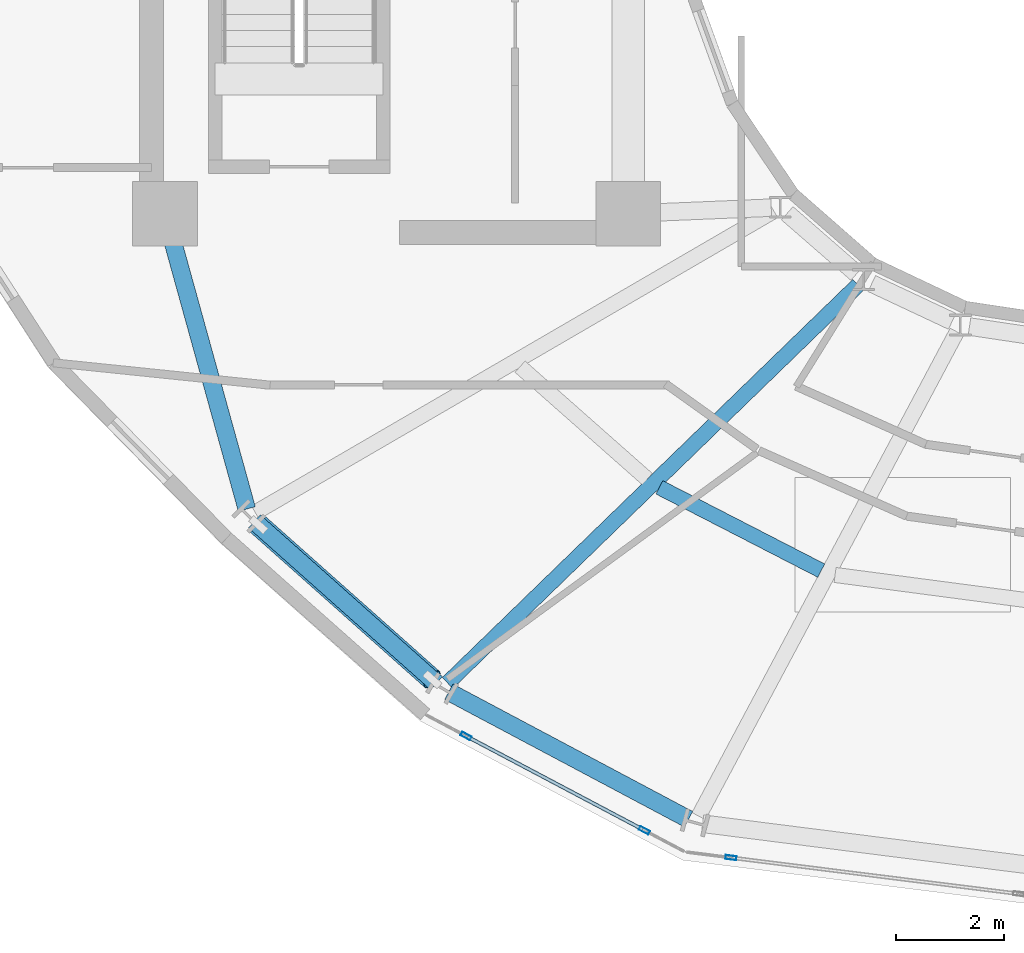
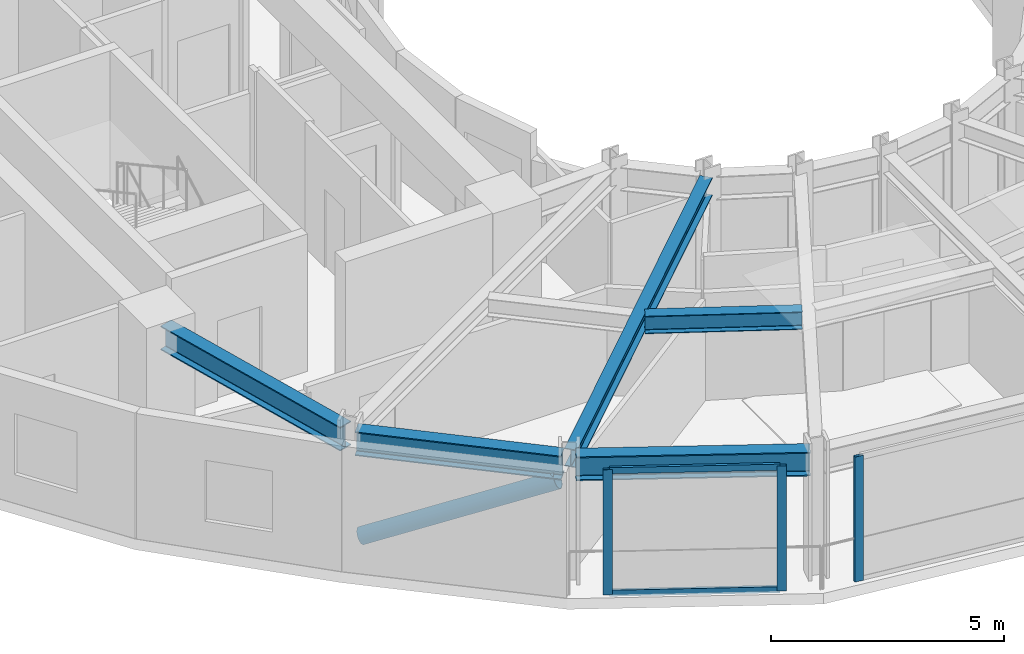
# One storey, part 2 of 19: 6 members, 5 beams, 2 elements without a shape of their own.
"""IFC4 building model written with IfcOpenShell, lengths in metres."""

from ifc_helpers import new_model, si_unit, direction, frame, origin, origin_2d, place, context, subcontext, project, spatial, hollow_rectangle, hollow_circle, i_section, extrude, material, layer, layer_set, material_profile, profile_set, type_object, element, aggregate, save


model = new_model("IFC4")

# Units and contexts
model_context = context("Model", 3, precision=1e-05, world=origin(), true_north=direction((0.0, 1.0)))
body_context = subcontext(model_context, "Body", "Model", "MODEL_VIEW")
ifc_project = project(units=[si_unit("LENGTHUNIT", "METRE"), si_unit("AREAUNIT", "SQUARE_METRE"), si_unit("VOLUMEUNIT", "CUBIC_METRE"), si_unit("PLANEANGLEUNIT", "RADIAN"), si_unit("MASSUNIT", "GRAM", prefix="KILO")], contexts=[model_context])

# Site, building, storey
site_placement = place(None, origin())
site = spatial("IfcSite", under=ifc_project, at=site_placement, CompositionType="ELEMENT")
building_placement = place(site_placement, origin())
building = spatial("IfcBuilding", under=site, at=building_placement, Name="Solvane Sanctuary Tower", CompositionType="ELEMENT")
storey_placement = place(building_placement, frame((0.0, 0.0, 242.39990234375)))
storey = spatial("IfcBuildingStorey", under=building, at=storey_placement, Name="L74", CompositionType="ELEMENT", Elevation=242.39990234375)

# Beams
ifc_material_1 = material(Name="Steel ASTM A992 Grade 50", Category="steel")
ifc_material_profile_1 = material_profile(ifc_material_1, i_section(OverallWidth=0.282958984375, OverallDepth=0.471923828125, WebThickness=0.013671875, FlangeThickness=0.022216796875, FilletRadius=0.013916015625, at=origin_2d()), Name="W18X97")
ifc_profile_set_1 = profile_set([ifc_material_profile_1], Name="Steel ASTM A992 Grade 50")
beam_type_1 = type_object("IfcBeamType", Name="Beam B-RAD-Z4 W18X97", PredefinedType="JOIST", material=ifc_profile_set_1)
beam_1_placement = place(storey_placement, frame((28.16943359375, 15.575927734375, 3.08203125), z_axis=(-0.71793137972, -0.696113880061, 0.0), x_axis=(0.696113880061, -0.71793137972, 0.0)))
element("IfcBeam", 1, at=beam_1_placement, inside=storey, type_object=beam_type_1, Name="L74 Radial Composite Floor Beam 09", PredefinedType="JOIST", context=body_context, shape_type="SweptSolid", body=[
    extrude(i_section(OverallWidth=0.282958984375, OverallDepth=0.471923828125, WebThickness=0.013671875, FlangeThickness=0.022216796875, FilletRadius=0.013916015625, at=origin_2d()), origin(), (0.0, 0.0, 1.0), 10.619384765625),
])
ifc_material_profile_2 = material_profile(ifc_material_1, i_section(OverallWidth=0.280029296875, OverallDepth=0.462890625, WebThickness=0.0107421875, FlangeThickness=0.017333984375, FilletRadius=0.013916015625, at=origin_2d()), Name="W18X76")
ifc_profile_set_2 = profile_set([ifc_material_profile_2], Name="Steel ASTM A992 Grade 50")
beam_type_2 = type_object("IfcBeamType", Name="Beam B-SEC-JOIST W18X76", PredefinedType="JOIST", material=ifc_profile_set_2)
beam_2_placement = place(storey_placement, frame((24.47900390625, 11.8173828125, 3.086669921875), z_axis=(0.88924080122, -0.4574393921, 0.0), x_axis=(0.4574393921, 0.88924080122, 0.0)))
element("IfcBeam", 2, at=beam_2_placement, inside=storey, type_object=beam_type_2, Name="L74 Secondary Circumferential Joist 09-10", PredefinedType="JOIST", context=body_context, shape_type="SweptSolid", body=[
    extrude(i_section(OverallWidth=0.280029296875, OverallDepth=0.462890625, WebThickness=0.0107421875, FlangeThickness=0.017333984375, FilletRadius=0.013916015625, at=origin_2d()), origin(), (0.0, 0.0, 1.0), 3.380615234375),
])
ifc_material_profile_3 = material_profile(ifc_material_1, i_section(OverallWidth=0.327880859375, OverallDepth=0.6279296875, WebThickness=0.0166015625, FlangeThickness=0.027587890625, FilletRadius=0.01611328125, at=origin_2d()), Name="W24X146")
ifc_profile_set_3 = profile_set([ifc_material_profile_3], Name="Steel ASTM A992 Grade 50")
beam_type_3 = type_object("IfcBeamType", Name="Beam B-SPAND-Z3 W24X146", PredefinedType="SPANDREL", material=ifc_profile_set_3)
beam_3_placement = place(storey_placement, frame((15.374755859375, 16.630126953125, 3.004150390625), z_axis=(0.266650248701, -0.963793362121, 0.0), x_axis=(0.963793362121, 0.266650248701, 0.0)))
element("IfcBeam", 3, at=beam_3_placement, inside=storey, type_object=beam_type_3, Name="L74 Perimeter Spandrel Beam CW1-TC08", PredefinedType="SPANDREL", context=body_context, shape_type="SweptSolid", body=[
    extrude(i_section(OverallWidth=0.327880859375, OverallDepth=0.6279296875, WebThickness=0.0166015625, FlangeThickness=0.027587890625, FilletRadius=0.01611328125, at=origin_2d()), origin(), (0.0, 0.0, 1.0), 5.412109375),
])
beam_4_placement = place(storey_placement, frame((16.959716796875, 11.18603515625, 3.004150390625), z_axis=(0.747206834793, -0.664591563322, 0.0), x_axis=(0.664591563322, 0.747206834793, 0.0)))
element("IfcBeam", 4, at=beam_4_placement, inside=storey, type_object=beam_type_3, Name="L74 Perimeter Spandrel Beam TC08-TC09", PredefinedType="SPANDREL", context=body_context, shape_type="SweptSolid", body=[
    extrude(i_section(OverallWidth=0.327880859375, OverallDepth=0.6279296875, WebThickness=0.0166015625, FlangeThickness=0.027587890625, FilletRadius=0.01611328125, at=origin_2d()), origin(), (0.0, 0.0, 1.0), 4.5244140625),
])
beam_5_placement = place(storey_placement, frame((20.568603515625, 8.0205078125, 3.004150390625), z_axis=(0.883011615456, -0.469351133981, 0.0), x_axis=(0.469351133981, 0.883011615456, 0.0)))
element("IfcBeam", 5, at=beam_5_placement, inside=storey, type_object=beam_type_3, Name="L74 Perimeter Spandrel Beam TC09-TC10", PredefinedType="SPANDREL", context=body_context, shape_type="SweptSolid", body=[
    extrude(i_section(OverallWidth=0.327880859375, OverallDepth=0.6279296875, WebThickness=0.0166015625, FlangeThickness=0.027587890625, FilletRadius=0.01611328125, at=origin_2d()), origin(), (0.0, 0.0, 1.0), 5.04150390625),
])

# Curtain wall, members
ifc_material_2 = material(Name="Anodised Aluminium 6063-T6", Category="aluminium")
ifc_layer = layer(ifc_material_2, 0.18994140625, Name="Anodised Aluminium 6063-T6")
ifc_layer_set = layer_set([ifc_layer], Name="Anodised Aluminium 6063-T6")
curtain_wall_type = type_object("IfcCurtainWallType", Name="Curtain Wall CW-OPER", PredefinedType="NOTDEFINED", material=ifc_layer_set)
curtain_wall_1_placement = place(storey_placement, origin())
curtain_wall_1 = element("IfcCurtainWall", 6, at=curtain_wall_1_placement, inside=storey, type_object=curtain_wall_type, Name="L74 CW-OPER Facade Run 16", PredefinedType="NOTDEFINED")
ifc_material_profile_4 = material_profile(ifc_material_2, hollow_rectangle(XDim=0.074951171875, YDim=0.199951171875, WallThickness=0.00390625, at=origin_2d()), Name="ALU200X75X4")
ifc_profile_set_4 = profile_set([ifc_material_profile_4], Name="Anodised Aluminium 6063-T6")
member_type_1 = type_object("IfcMemberType", Name="Member M-CW-MUL-1 ALU200X75X4", PredefinedType="MULLION", material=ifc_profile_set_4)
member_1_placement = place(storey_placement, frame((20.887939453125, 7.199951171875, 0.0), z_axis=(0.0, 0.0, 1.0), x_axis=(0.467523293544, 0.883980752049, 0.0)))
member_1 = element("IfcMember", 7, at=member_1_placement, type_object=member_type_1, Name="CW-OPER mullion 1", PredefinedType="MULLION", context=body_context, shape_type="SweptSolid", body=[
    extrude(hollow_rectangle(XDim=0.074951171875, YDim=0.199951171875, WallThickness=0.00390625, at=origin_2d()), origin(), (0.0, 0.0, 1.0), 3.280029296875),
])
member_2_placement = place(storey_placement, frame((24.198974609375, 5.448974609375, 0.0), z_axis=(0.0, 0.0, 1.0), x_axis=(0.467523293544, 0.883980752049, 0.0)))
member_2 = element("IfcMember", 8, at=member_2_placement, type_object=member_type_1, Name="CW-OPER mullion 2", PredefinedType="MULLION", context=body_context, shape_type="SweptSolid", body=[
    extrude(hollow_rectangle(XDim=0.074951171875, YDim=0.199951171875, WallThickness=0.00390625, at=origin_2d()), origin(), (0.0, 0.0, 1.0), 3.280029296875),
])

# Curtain wall, member
curtain_wall_2_placement = place(storey_placement, origin())
curtain_wall_2 = element("IfcCurtainWall", 9, at=curtain_wall_2_placement, inside=storey, type_object=curtain_wall_type, Name="L74 CW-OPER Facade Run 17", PredefinedType="NOTDEFINED")
member_3_placement = place(storey_placement, frame((25.807861328125, 4.941162109375, 0.0), z_axis=(0.0, 0.0, 1.0), x_axis=(0.124814850727, 0.992180050716, 0.0)))
member_3 = element("IfcMember", 10, at=member_3_placement, type_object=member_type_1, Name="CW-OPER mullion 1", PredefinedType="MULLION", context=body_context, shape_type="SweptSolid", body=[
    extrude(hollow_rectangle(XDim=0.074951171875, YDim=0.199951171875, WallThickness=0.00390625, at=origin_2d()), origin(), (0.0, 0.0, 1.0), 3.280029296875),
])
aggregate(curtain_wall_2, [member_3])

# Member
ifc_material_profile_5 = material_profile(ifc_material_2, hollow_rectangle(XDim=0.06494140625, YDim=0.159912109375, WallThickness=0.00341796875, at=origin_2d()), Name="ALU160X65X3.5")
ifc_profile_set_5 = profile_set([ifc_material_profile_5], Name="Anodised Aluminium 6063-T6")
member_type_2 = type_object("IfcMemberType", Name="Member M-CW-TRN-1 ALU160X65X3.5", PredefinedType="USERDEFINED", material=ifc_profile_set_5)
member_4_placement = place(storey_placement, frame((20.921142578125, 7.1826171875, 0.03271484375), z_axis=(0.883977140568, -0.467530121975, 0.0), x_axis=(0.467530121975, 0.883977140568, 0.0)))
member_4 = element("IfcMember", 11, at=member_4_placement, type_object=member_type_2, Name="CW-OPER transom 1.1", ObjectType="TRANSOM", PredefinedType="USERDEFINED", context=body_context, shape_type="SweptSolid", body=[
    extrude(hollow_rectangle(XDim=0.06494140625, YDim=0.159912109375, WallThickness=0.00341796875, at=origin_2d()), origin(), (0.0, 0.0, 1.0), 3.67041015625),
])

member_5_placement = place(storey_placement, frame((20.921142578125, 7.1826171875, 3.24755859375), z_axis=(0.883977140568, -0.467530121975, 0.0), x_axis=(0.467530121975, 0.883977140568, 0.0)))
member_5 = element("IfcMember", 12, at=member_5_placement, type_object=member_type_2, Name="CW-OPER transom 1.2", ObjectType="TRANSOM", PredefinedType="USERDEFINED", context=body_context, shape_type="SweptSolid", body=[
    extrude(hollow_rectangle(XDim=0.06494140625, YDim=0.159912109375, WallThickness=0.00341796875, at=origin_2d()), origin(), (0.0, 0.0, 1.0), 3.67041015625),
])

aggregate(curtain_wall_1, [member_1, member_2, member_4, member_5])

ifc_material_profile_6 = material_profile(ifc_material_1, hollow_circle(Radius=0.202880859375, WallThickness=0.012451171875, at=origin_2d()), Name="CHS406X12.5")
ifc_profile_set_6 = profile_set([ifc_material_profile_6], Name="Steel ASTM A992 Grade 50")
member_type_3 = type_object("IfcMemberType", Name="Member M-TUBE-Z3 CHS406X12.5", PredefinedType="BRACE", material=ifc_profile_set_6)
member_6_placement = place(storey_placement, frame((17.035888671875, 11.118408203125, 0.496337890625), z_axis=(0.673397052397, -0.598966005648, 0.433331436549), x_axis=(0.664606066876, 0.747193934579, 0.0)))
element("IfcMember", 13, at=member_6_placement, inside=storey, type_object=member_type_3, Name="L74 Perimeter Braced-Tube Diagonal SW", PredefinedType="BRACE", context=body_context, shape_type="SweptSolid", body=[
    extrude(hollow_circle(Radius=0.202880859375, WallThickness=0.012451171875, at=origin_2d()), origin(), (0.0, 0.0, 1.0), 4.788818359375),
])

save(model, "model.ifc")
